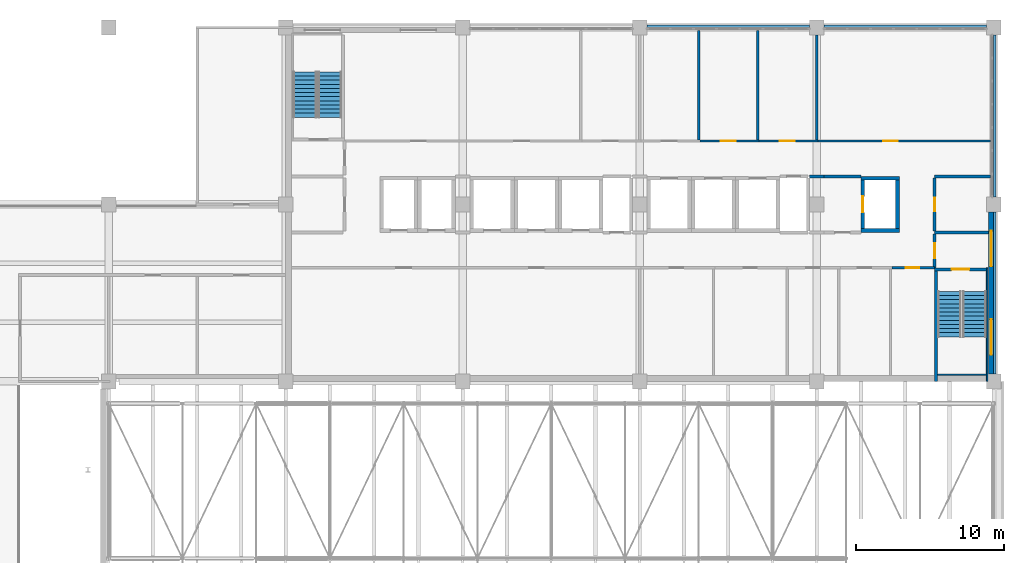
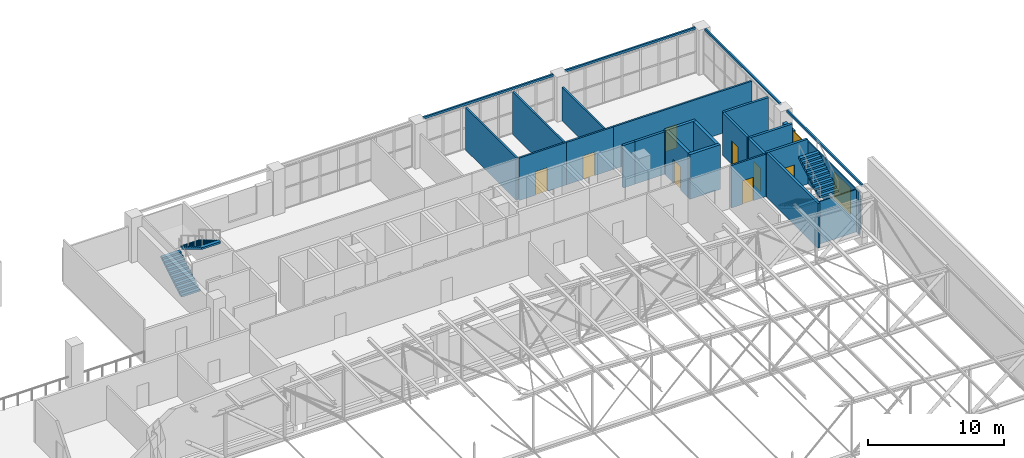
# One storey, part 150 of 156: 26 walls, 8 doors, 4 stair flights, 2 windows, 10 openings, 2 elements without a shape of their own.
"""IFC4 building model written with IfcOpenShell, lengths in metres."""

from ifc_helpers import new_model, si_unit, direction, frame, frame_2d, origin, place, context, subcontext, project, spatial, polyline, rectangle, outline, extrude, material, layer, layer_set, type_object, element, fill, aggregate, save


model = new_model("IFC4")

# Units and contexts
model_context = context("Model", 3, precision=1e-05, world=origin(), true_north=direction((0.0, 1.0)))
body_context = subcontext(model_context, "Body", "Model", "MODEL_VIEW")
ifc_project = project(units=[si_unit("LENGTHUNIT", "METRE"), si_unit("AREAUNIT", "SQUARE_METRE"), si_unit("VOLUMEUNIT", "CUBIC_METRE"), si_unit("PLANEANGLEUNIT", "RADIAN"), si_unit("MASSUNIT", "GRAM", prefix="KILO")], contexts=[model_context])

# Site, building, storey
site_placement = place(None, origin())
site = spatial("IfcSite", under=ifc_project, at=site_placement, CompositionType="ELEMENT")
building_placement = place(site_placement, origin())
building = spatial("IfcBuilding", under=site, at=building_placement, Name="Lilac Gate Convention Centre", CompositionType="ELEMENT")
storey_placement = place(building_placement, frame((0.0, 0.0, 17.0)))
storey = spatial("IfcBuildingStorey", under=building, at=storey_placement, Name="L03", CompositionType="ELEMENT", Elevation=17.0)

# Walls
ifc_material_1 = material(Name="Concrete C60", Category="concrete")
ifc_layer_1 = layer(ifc_material_1, 0.10009765625)
ifc_layer_set_1 = layer_set([ifc_layer_1], Name="Concrete C60")
wall_type_1 = type_object("IfcWallType", Name="Core wall 100 C60", PredefinedType="SHEAR", material=ifc_layer_set_1)
wall_1_placement = place(storey_placement, frame((89.550048828125, 229.699951171875, 0.0), z_axis=(0.0, 0.0, 1.0), x_axis=(0.0, -1.0, 0.0)))
element("IfcWall", 1, at=wall_1_placement, inside=storey, type_object=wall_type_1, Name="CRW8 core wall TS-EX L03 1", PredefinedType="SHEAR", context=body_context, shape_type="SweptSolid", body=[
    extrude(rectangle(XDim=7.699951171875, YDim=0.10009765625, at=frame_2d((3.85009765625, 0.0))), origin(), (0.0, 0.0, 1.0), 3.800048828125),
])
wall_2_placement = place(storey_placement, frame((89.5, 222.449951171875, 0.0), z_axis=(0.0, 0.0, 1.0), x_axis=(-1.0, 0.0, 0.0)))
element("IfcWall", 2, at=wall_2_placement, inside=storey, type_object=wall_type_1, Name="CRW8 core wall TS-EX L03 2", PredefinedType="SHEAR", context=body_context, shape_type="SweptSolid", body=[
    extrude(rectangle(XDim=3.300048828125, YDim=0.10009765625, at=frame_2d((1.64990234375, 0.0))), origin(), (0.0, 0.0, 1.0), 3.800048828125),
])

# Wall, opening, door
ifc_layer_2 = layer(ifc_material_1, 0.199951171875)
ifc_layer_set_2 = layer_set([ifc_layer_2], Name="Concrete C60")
wall_type_2 = type_object("IfcWallType", Name="Core wall 200 C60", PredefinedType="SHEAR", material=ifc_layer_set_2)
wall_3_placement = place(storey_placement, frame((89.5, 229.60009765625, 0.0), z_axis=(0.0, 0.0, 1.0), x_axis=(-1.0, 0.0, 0.0)))
wall_3 = element("IfcWall", 3, at=wall_3_placement, inside=storey, type_object=wall_type_2, Name="CRW2 core wall TS-E L03 1", PredefinedType="SHEAR", context=body_context, shape_type="SweptSolid", body=[
    extrude(rectangle(XDim=3.5, YDim=0.199951171875, at=frame_2d((1.75, 0.0))), origin(), (0.0, 0.0, 1.0), 4.0),
])
opening_1_placement = place(wall_3_placement, frame((1.14990234375, 0.0, 0.0)))
opening_1 = element("IfcOpeningElement", 4, at=opening_1_placement, cuts=wall_3, Name="Opening T03-032", PredefinedType="OPENING", context=body_context, shape_type="SweptSolid", body=[
    extrude(rectangle(XDim=1.199951171875, YDim=2.10009765625, at=frame_2d((0.60009765625, 1.050048828125))), frame((0.0, 0.10986328125, 0.0), z_axis=(0.0, -1.0, 0.0), x_axis=(1.0, 0.0, 0.0)), (0.0, 0.0, 1.0), 0.219970703125),
])
ifc_material_2 = material(Name="Steel Q235B", Category="steel")
door_type_1 = type_object("IfcDoorType", Name="Stair door 1200", OperationType="SINGLE_SWING_LEFT", PredefinedType="DOOR", material=ifc_material_2)
door_1_placement = place(opening_1_placement, origin())
door_1 = element("IfcDoor", 5, at=door_1_placement, inside=storey, type_object=door_type_1, Name="Stair door SE L03", OperationType="SINGLE_SWING_RIGHT", OverallHeight=2.10009765625, OverallWidth=1.199951171875, PredefinedType="DOOR", context=body_context, shape_type="SweptSolid", body=[
    extrude(rectangle(XDim=1.199951171875, YDim=2.10009765625, at=frame_2d((0.60009765625, 1.050048828125))), frame((0.0, 0.02490234375, 0.0), z_axis=(0.0, -1.0, 0.0), x_axis=(1.0, 0.0, 0.0)), (0.0, 0.0, 1.0), 0.050048828125),
])
fill(opening_1, door_1)

# Walls
wall_4_placement = place(storey_placement, frame((86.10009765625, 222.0, 0.0), z_axis=(0.0, 0.0, 1.0), x_axis=(0.0, 1.0, 0.0)))
element("IfcWall", 6, at=wall_4_placement, inside=storey, type_object=wall_type_2, Name="CRW2 core wall TS-E L03 2", PredefinedType="SHEAR", context=body_context, shape_type="SweptSolid", body=[
    extrude(rectangle(XDim=7.5, YDim=0.199951171875, at=frame_2d((3.75, 0.0))), origin(), (0.0, 0.0, 1.0), 4.0),
])
ifc_layer_3 = layer(ifc_material_1, 0.25)
ifc_layer_set_3 = layer_set([ifc_layer_3], Name="Concrete C60")
wall_type_3 = type_object("IfcWallType", Name="Core wall 250 C60", PredefinedType="SHEAR", material=ifc_layer_set_3)
for number, where, z_axis, x_axis, name in (
    (7, (81.0, 232.22509765625, 0.0), (0.0, 0.0, 1.0), (1.0, 0.0, 0.0), "CRW3 core wall TC L03 33"),
    (8, (81.0, 235.77490234375, 0.0), (0.0, 0.0, 1.0), (1.0, 0.0, 0.0), "CRW3 core wall TC L03 34"),
):
    element("IfcWall", number, at=place(storey_placement, frame(where, z_axis=z_axis, x_axis=x_axis)), inside=storey, type_object=wall_type_3, Name=name, PredefinedType="SHEAR", context=body_context, shape_type="SweptSolid", body=[
        extrude(rectangle(XDim=2.60009765625, YDim=0.25, at=frame_2d((1.300048828125, 0.0))), origin(), (0.0, 0.0, 1.0), 4.0),
    ])

# Wall, opening, door
wall_5_placement = place(storey_placement, frame((81.125, 232.35009765625, 0.0), z_axis=(0.0, 0.0, 1.0), x_axis=(0.0, 1.0, 0.0)))
wall_5 = element("IfcWall", 9, at=wall_5_placement, inside=storey, type_object=wall_type_3, Name="CRW3 core wall TC L03 35", PredefinedType="SHEAR", context=body_context, shape_type="SweptSolid", body=[
    extrude(rectangle(XDim=3.2998046875, YDim=0.25, at=frame_2d((1.64990234375, 0.0))), origin(), (0.0, 0.0, 1.0), 4.0),
])
opening_2_placement = place(wall_5_placement, frame((1.10009765625, 0.0, 0.0)))
opening_2 = element("IfcOpeningElement", 10, at=opening_2_placement, cuts=wall_5, Name="Opening T03-030", PredefinedType="OPENING", context=body_context, shape_type="SweptSolid", body=[
    extrude(rectangle(XDim=1.10009765625, YDim=2.10009765625, at=frame_2d((0.550048828125, 1.050048828125))), frame((0.0, 0.135009765625, 0.0), z_axis=(0.0, -1.0, 0.0), x_axis=(1.0, 0.0, 0.0)), (0.0, 0.0, 1.0), 0.27001953125),
])
ifc_material_3 = material(Name="Stainless steel 304", Category="steel")
door_type_2 = type_object("IfcDoorType", Name="Lift landing door 1100", OperationType="SLIDING_TO_LEFT", PredefinedType="DOOR", material=ifc_material_3)
door_2_placement = place(opening_2_placement, origin())
door_2 = element("IfcDoor", 11, at=door_2_placement, inside=storey, type_object=door_type_2, Name="Lift landing door TF1 L03", OperationType="SLIDING_TO_LEFT", OverallHeight=2.10009765625, OverallWidth=1.10009765625, PredefinedType="DOOR", context=body_context, shape_type="SweptSolid", body=[
    extrude(rectangle(XDim=1.10009765625, YDim=2.10009765625, at=frame_2d((0.550048828125, 1.050048828125))), frame((0.0, 0.02490234375, 0.0), z_axis=(0.0, -1.0, 0.0), x_axis=(1.0, 0.0, 0.0)), (0.0, 0.0, 1.0), 0.050048828125),
])
fill(opening_2, door_2)

# Wall
wall_6_placement = place(storey_placement, frame((83.47509765625, 232.35009765625, 0.0), z_axis=(0.0, 0.0, 1.0), x_axis=(0.0, 1.0, 0.0)))
element("IfcWall", 12, at=wall_6_placement, inside=storey, type_object=wall_type_3, Name="CRW3 core wall TC L03 36", PredefinedType="SHEAR", context=body_context, shape_type="SweptSolid", body=[
    extrude(rectangle(XDim=3.2998046875, YDim=0.25, at=frame_2d((1.64990234375, 0.0))), origin(), (0.0, 0.0, 1.0), 4.0),
])

# Wall, opening, door
ifc_material_4 = material(Name="Gypsum board on steel stud", Category="steel")
ifc_layer_4 = layer(ifc_material_4, 0.14990234375)
ifc_layer_set_4 = layer_set([ifc_layer_4], Name="Gypsum board on steel stud")
wall_type_4 = type_object("IfcWallType", Name="Corridor wall 150", PredefinedType="PARTITIONING", material=ifc_layer_set_4)
wall_7_placement = place(storey_placement, frame((86.0, 229.699951171875, 0.0), z_axis=(0.0, 0.0, 1.0), x_axis=(-1.0, 0.0, 0.0)))
wall_7 = element("IfcWall", 13, at=wall_7_placement, inside=storey, type_object=wall_type_4, Name="Corridor wall 150 front WC-A", PredefinedType="PARTITIONING", context=body_context, shape_type="SweptSolid", body=[
    extrude(rectangle(XDim=2.89990234375, YDim=0.14990234375, at=frame_2d((1.449951171875, 0.0))), origin(), (0.0, 0.0, 1.0), 3.800048828125),
])
opening_3_placement = place(wall_7_placement, frame((1.050048828125, 0.0, 0.0)))
opening_3 = element("IfcOpeningElement", 14, at=opening_3_placement, cuts=wall_7, Name="Opening T03-014", PredefinedType="OPENING", context=body_context, shape_type="SweptSolid", body=[
    extrude(rectangle(XDim=0.89990234375, YDim=2.10009765625, at=frame_2d((0.449951171875, 1.050048828125))), frame((0.0, 0.0849609375, 0.0), z_axis=(0.0, -1.0, 0.0), x_axis=(1.0, 0.0, 0.0)), (0.0, 0.0, 1.0), 0.169921875),
])
ifc_material_5 = material(Name="Timber", Category="wood")
door_type_3 = type_object("IfcDoorType", Name="WC door 900", OperationType="SINGLE_SWING_LEFT", PredefinedType="DOOR", material=ifc_material_5)
door_3_placement = place(opening_3_placement, origin())
door_3 = element("IfcDoor", 15, at=door_3_placement, inside=storey, type_object=door_type_3, Name="Accessible WC door", OperationType="SINGLE_SWING_RIGHT", OverallHeight=2.10009765625, OverallWidth=0.89990234375, PredefinedType="DOOR", context=body_context, shape_type="SweptSolid", body=[
    extrude(rectangle(XDim=0.89990234375, YDim=2.10009765625, at=frame_2d((0.449951171875, 1.050048828125))), frame((0.0, 0.02490234375, 0.0), z_axis=(0.0, -1.0, 0.0), x_axis=(1.0, 0.0, 0.0)), (0.0, 0.0, 1.0), 0.050048828125),
])
fill(opening_3, door_3)

wall_8_placement = place(storey_placement, frame((70.10009765625, 238.300048828125, 0.0), z_axis=(0.0, 0.0, 1.0), x_axis=(1.0, 0.0, 0.0)))
wall_8 = element("IfcWall", 16, at=wall_8_placement, inside=storey, type_object=wall_type_4, Name="Corridor wall 150 front T03", PredefinedType="PARTITIONING", context=body_context, shape_type="SweptSolid", body=[
    extrude(rectangle(XDim=4.0, YDim=0.14990234375, at=frame_2d((2.0, 0.0))), origin(), (0.0, 0.0, 1.0), 3.800048828125),
])
opening_4_placement = place(wall_8_placement, frame((1.39990234375, 0.0, 0.0)))
opening_4 = element("IfcOpeningElement", 17, at=opening_4_placement, cuts=wall_8, Name="Opening T03-019", PredefinedType="OPENING", context=body_context, shape_type="SweptSolid", body=[
    extrude(rectangle(XDim=1.0, YDim=2.10009765625, at=frame_2d((0.5, 1.050048828125))), frame((0.0, 0.0849609375, 0.0), z_axis=(0.0, -1.0, 0.0), x_axis=(1.0, 0.0, 0.0)), (0.0, 0.0, 1.0), 0.169921875),
])
door_type_4 = type_object("IfcDoorType", Name="Room door 1000", OperationType="SINGLE_SWING_LEFT", PredefinedType="DOOR", material=ifc_material_5)
door_4_placement = place(opening_4_placement, origin())
door_4 = element("IfcDoor", 18, at=door_4_placement, inside=storey, type_object=door_type_4, Name="Treatment Room door", OperationType="SINGLE_SWING_LEFT", OverallHeight=2.10009765625, OverallWidth=1.0, PredefinedType="DOOR", context=body_context, shape_type="SweptSolid", body=[
    extrude(rectangle(XDim=1.0, YDim=2.10009765625, at=frame_2d((0.5, 1.050048828125))), frame((0.0, 0.02490234375, 0.0), z_axis=(0.0, -1.0, 0.0), x_axis=(1.0, 0.0, 0.0)), (0.0, 0.0, 1.0), 0.050048828125),
])
fill(opening_4, door_4)

wall_9_placement = place(storey_placement, frame((74.10009765625, 238.300048828125, 0.0), z_axis=(0.0, 0.0, 1.0), x_axis=(1.0, 0.0, 0.0)))
wall_9 = element("IfcWall", 19, at=wall_9_placement, inside=storey, type_object=wall_type_4, Name="Corridor wall 150 front T04", PredefinedType="PARTITIONING", context=body_context, shape_type="SweptSolid", body=[
    extrude(rectangle(XDim=4.0, YDim=0.14990234375, at=frame_2d((2.0, 0.0))), origin(), (0.0, 0.0, 1.0), 3.800048828125),
])
opening_5_placement = place(wall_9_placement, frame((1.39990234375, 0.0, 0.0)))
opening_5 = element("IfcOpeningElement", 20, at=opening_5_placement, cuts=wall_9, Name="Opening T03-020", PredefinedType="OPENING", context=body_context, shape_type="SweptSolid", body=[
    extrude(rectangle(XDim=1.0, YDim=2.10009765625, at=frame_2d((0.5, 1.050048828125))), frame((0.0, 0.0849609375, 0.0), z_axis=(0.0, -1.0, 0.0), x_axis=(1.0, 0.0, 0.0)), (0.0, 0.0, 1.0), 0.169921875),
])
door_5_placement = place(opening_5_placement, origin())
door_5 = element("IfcDoor", 21, at=door_5_placement, inside=storey, type_object=door_type_4, Name="Treatment Room door", OperationType="SINGLE_SWING_LEFT", OverallHeight=2.10009765625, OverallWidth=1.0, PredefinedType="DOOR", context=body_context, shape_type="SweptSolid", body=[
    extrude(rectangle(XDim=1.0, YDim=2.10009765625, at=frame_2d((0.5, 1.050048828125))), frame((0.0, 0.02490234375, 0.0), z_axis=(0.0, -1.0, 0.0), x_axis=(1.0, 0.0, 0.0)), (0.0, 0.0, 1.0), 0.050048828125),
])
fill(opening_5, door_5)

wall_10_placement = place(storey_placement, frame((78.10009765625, 238.300048828125, 0.0), z_axis=(0.0, 0.0, 1.0), x_axis=(1.0, 0.0, 0.0)))
wall_10 = element("IfcWall", 22, at=wall_10_placement, inside=storey, type_object=wall_type_4, Name="Corridor wall 150 front SAU", PredefinedType="PARTITIONING", context=body_context, shape_type="SweptSolid", body=[
    extrude(rectangle(XDim=11.69970703125, YDim=0.14990234375, at=frame_2d((5.849853515625, 0.0))), origin(), (0.0, 0.0, 1.0), 3.800048828125),
])
opening_6_placement = place(wall_10_placement, frame((4.39990234375, 0.0, 0.0)))
opening_6 = element("IfcOpeningElement", 23, at=opening_6_placement, cuts=wall_10, Name="Opening T03-021", PredefinedType="OPENING", context=body_context, shape_type="SweptSolid", body=[
    extrude(rectangle(XDim=1.0, YDim=2.10009765625, at=frame_2d((0.5, 1.050048828125))), frame((0.0, 0.0849609375, 0.0), z_axis=(0.0, -1.0, 0.0), x_axis=(1.0, 0.0, 0.0)), (0.0, 0.0, 1.0), 0.169921875),
])
door_6_placement = place(opening_6_placement, origin())
door_6 = element("IfcDoor", 24, at=door_6_placement, inside=storey, type_object=door_type_4, Name="Sauna and Steam Room door", OperationType="SINGLE_SWING_LEFT", OverallHeight=2.10009765625, OverallWidth=1.0, PredefinedType="DOOR", context=body_context, shape_type="SweptSolid", body=[
    extrude(rectangle(XDim=1.0, YDim=2.10009765625, at=frame_2d((0.5, 1.050048828125))), frame((0.0, 0.02490234375, 0.0), z_axis=(0.0, -1.0, 0.0), x_axis=(1.0, 0.0, 0.0)), (0.0, 0.0, 1.0), 0.050048828125),
])
fill(opening_6, door_6)

# Walls
ifc_layer_5 = layer(ifc_material_4, 0.199951171875)
ifc_layer_set_5 = layer_set([ifc_layer_5], Name="Gypsum board on steel stud")
wall_type_5 = type_object("IfcWallType", Name="Lobby wall 200", PredefinedType="PARTITIONING", material=ifc_layer_set_5)
wall_11_placement = place(storey_placement, frame((86.0, 232.10009765625, 0.0), z_axis=(0.0, 0.0, 1.0), x_axis=(1.0, 0.0, 0.0)))
element("IfcWall", 25, at=wall_11_placement, inside=storey, type_object=wall_type_5, Name="Lobby wall 200 STL-N", PredefinedType="PARTITIONING", context=body_context, shape_type="SweptSolid", body=[
    extrude(rectangle(XDim=3.64990234375, YDim=0.199951171875, at=frame_2d((1.824951171875, 0.0))), origin(), (0.0, 0.0, 1.0), 3.800048828125),
])
wall_12_placement = place(storey_placement, frame((78.5, 235.89990234375, 0.0), z_axis=(0.0, 0.0, 1.0), x_axis=(1.0, 0.0, 0.0)))
element("IfcWall", 26, at=wall_12_placement, inside=storey, type_object=wall_type_5, Name="Lobby wall 200 FFL-N", PredefinedType="PARTITIONING", context=body_context, shape_type="SweptSolid", body=[
    extrude(rectangle(XDim=2.5, YDim=0.199951171875, at=frame_2d((1.25, 0.0))), origin(), (0.0, 0.0, 1.0), 3.800048828125),
])

# Wall, opening, door
wall_13_placement = place(storey_placement, frame((86.0, 232.0, 0.0), z_axis=(0.0, 0.0, 1.0), x_axis=(0.0, -1.0, 0.0)))
wall_13 = element("IfcWall", 27, at=wall_13_placement, inside=storey, type_object=wall_type_5, Name="Lobby wall 200 STL-SE-W", PredefinedType="PARTITIONING", context=body_context, shape_type="SweptSolid", body=[
    extrude(rectangle(XDim=2.300048828125, YDim=0.199951171875, at=frame_2d((1.14990234375, 0.0))), origin(), (0.0, 0.0, 1.0), 3.800048828125),
])
opening_7_placement = place(wall_13_placement, frame((0.64990234375, 0.0, 0.0)))
opening_7 = element("IfcOpeningElement", 28, at=opening_7_placement, cuts=wall_13, Name="Opening T03-007", PredefinedType="OPENING", context=body_context, shape_type="SweptSolid", body=[
    extrude(rectangle(XDim=1.0, YDim=2.10009765625, at=frame_2d((0.5, 1.050048828125))), frame((0.0, 0.10986328125, 0.0), z_axis=(0.0, -1.0, 0.0), x_axis=(1.0, 0.0, 0.0)), (0.0, 0.0, 1.0), 0.219970703125),
])
door_type_5 = type_object("IfcDoorType", Name="Lobby door 1000", OperationType="SINGLE_SWING_LEFT", PredefinedType="DOOR", material=ifc_material_2)
door_7_placement = place(opening_7_placement, origin())
door_7 = element("IfcDoor", 29, at=door_7_placement, inside=storey, type_object=door_type_5, Name="Stair lobby door SE", OperationType="SINGLE_SWING_LEFT", OverallHeight=2.10009765625, OverallWidth=1.0, PredefinedType="DOOR", context=body_context, shape_type="SweptSolid", body=[
    extrude(rectangle(XDim=1.0, YDim=2.10009765625, at=frame_2d((0.5, 1.050048828125))), frame((0.0, 0.02490234375, 0.0), z_axis=(0.0, -1.0, 0.0), x_axis=(1.0, 0.0, 0.0)), (0.0, 0.0, 1.0), 0.050048828125),
])
fill(opening_7, door_7)

# Wall, openings, windows
ifc_material_6 = material(Name="Ochre mineral render")
ifc_layer_6 = layer(ifc_material_6, 0.02001953125)
ifc_material_7 = material(Name="Concrete C40 precast", Category="concrete")
ifc_layer_7 = layer(ifc_material_7, 0.06005859375)
ifc_material_8 = material(Name="Ventilated air cavity")
ifc_layer_8 = layer(ifc_material_8, 0.030029296875)
ifc_material_9 = material(Name="Mineral wool insulation")
ifc_layer_9 = layer(ifc_material_9, 0.169921875)
ifc_material_10 = material(Name="Steel stud Q345 and gypsum lining", Category="steel")
ifc_layer_10 = layer(ifc_material_10, 0.070068359375)
ifc_layer_set_6 = layer_set([ifc_layer_6, ifc_layer_7, ifc_layer_8, ifc_layer_9, ifc_layer_10], Name="Ochre mineral render, Concrete C40 precast, Ventilated air cavity, Mineral wool insulation, Steel stud Q345 and gypsum lining")
wall_type_6 = type_object("IfcWallType", Name="Podium precast wall 350", PredefinedType="STANDARD", material=ifc_layer_set_6)
wall_14_placement = place(storey_placement, frame((89.824951171875, 222.5, 0.0), z_axis=(0.0, 0.0, 1.0), x_axis=(0.0, 1.0, 0.0)))
wall_14 = element("IfcWall", 30, at=wall_14_placement, inside=storey, type_object=wall_type_6, Name="External wall E L03 1", PredefinedType="STANDARD", context=body_context, shape_type="SweptSolid", body=[
    extrude(rectangle(XDim=11.0, YDim=0.35009765625, at=frame_2d((5.5, 0.0))), origin(), (0.0, 0.0, 1.0), 3.0),
])
opening_8_placement = place(wall_14_placement, frame((1.300048828125, 0.0, 0.60009765625)))
opening_8 = element("IfcOpeningElement", 31, at=opening_8_placement, cuts=wall_14, Name="Opening W4", PredefinedType="OPENING", context=body_context, shape_type="SweptSolid", body=[
    extrude(rectangle(XDim=2.39990234375, YDim=2.39990234375, at=frame_2d((1.199951171875, 1.199951171875))), frame((0.0, 0.18505859375, 0.0), z_axis=(0.0, -1.0, 0.0), x_axis=(1.0, 0.0, 0.0)), (0.0, 0.0, 1.0), 0.3701171875),
])
opening_9_placement = place(wall_14_placement, frame((7.300048828125, 0.0, 0.60009765625)))
opening_9 = element("IfcOpeningElement", 32, at=opening_9_placement, cuts=wall_14, Name="Opening W4", PredefinedType="OPENING", context=body_context, shape_type="SweptSolid", body=[
    extrude(rectangle(XDim=2.39990234375, YDim=2.39990234375, at=frame_2d((1.199951171875, 1.199951171875))), frame((0.0, 0.18505859375, 0.0), z_axis=(0.0, -1.0, 0.0), x_axis=(1.0, 0.0, 0.0)), (0.0, 0.0, 1.0), 0.3701171875),
])
ifc_material_11 = material(Name="Aluminium framed double glazing", Category="aluminium")
window_type = type_object("IfcWindowType", Name="Restaurant window 2400 x 2400", PartitioningType="TRIPLE_PANEL_VERTICAL", PredefinedType="WINDOW", material=ifc_material_11)
window_1_placement = place(opening_8_placement, origin())
window_1 = element("IfcWindow", 33, at=window_1_placement, inside=storey, type_object=window_type, Name="Window restaurant E L03", OverallHeight=2.39990234375, OverallWidth=2.39990234375, PartitioningType="SINGLE_PANEL", PredefinedType="WINDOW", context=body_context, shape_type="SweptSolid", body=[
    extrude(rectangle(XDim=2.39990234375, YDim=2.39990234375, at=frame_2d((1.199951171875, 1.199951171875))), frame((0.0, 0.030029296875, 0.0), z_axis=(0.0, -1.0, 0.0), x_axis=(1.0, 0.0, 0.0)), (0.0, 0.0, 1.0), 0.06005859375),
])
fill(opening_8, window_1)
window_2_placement = place(opening_9_placement, origin())
window_2 = element("IfcWindow", 34, at=window_2_placement, inside=storey, type_object=window_type, Name="Window restaurant E L03", OverallHeight=2.39990234375, OverallWidth=2.39990234375, PartitioningType="SINGLE_PANEL", PredefinedType="WINDOW", context=body_context, shape_type="SweptSolid", body=[
    extrude(rectangle(XDim=2.39990234375, YDim=2.39990234375, at=frame_2d((1.199951171875, 1.199951171875))), frame((0.0, 0.030029296875, 0.0), z_axis=(0.0, -1.0, 0.0), x_axis=(1.0, 0.0, 0.0)), (0.0, 0.0, 1.0), 0.06005859375),
])
fill(opening_9, window_2)

# Walls
ifc_layer_11 = layer(ifc_material_7, 0.1298828125)
ifc_layer_12 = layer(ifc_material_6, 0.02001953125)
ifc_layer_set_7 = layer_set([ifc_layer_11, ifc_layer_12], Name="Concrete C40 precast, Ochre mineral render")
wall_type_7 = type_object("IfcWallType", Name="Precast band ochre 150", PredefinedType="STANDARD", material=ifc_layer_set_7)
for number, where, z_axis, x_axis, name in (
    (35, (90.074951171875, 222.5, 3.800048828125), (0.0, 0.0, 1.0), (0.0, 1.0, 0.0), "Precast band E L03 1"),
    (36, (90.074951171875, 234.5, 3.800048828125), (0.0, 0.0, 1.0), (0.0, 1.0, 0.0), "Precast band E L03 2"),
    (37, (89.5, 246.074951171875, 3.800048828125), (0.0, 0.0, 1.0), (-1.0, 0.0, 0.0), "Precast band N L03 1"),
    (38, (77.5, 246.074951171875, 3.800048828125), (0.0, 0.0, 1.0), (-1.0, 0.0, 0.0), "Precast band N L03 2"),
):
    element("IfcWall", number, at=place(storey_placement, frame(where, z_axis=z_axis, x_axis=x_axis)), inside=storey, type_object=wall_type_7, Name=name, PredefinedType="STANDARD", context=body_context, shape_type="SweptSolid", body=[
        extrude(rectangle(XDim=11.0, YDim=0.14990234375, at=frame_2d((5.5, 0.0))), origin(), (0.0, 0.0, 1.0), 0.199951171875),
    ])
ifc_layer_13 = layer(ifc_material_4, 0.199951171875)
ifc_layer_set_8 = layer_set([ifc_layer_13], Name="Gypsum board on steel stud")
wall_type_8 = type_object("IfcWallType", Name="Riser and store wall 200", PredefinedType="PARTITIONING", material=ifc_layer_set_8)
wall_15_placement = place(storey_placement, frame((77.5, 235.89990234375, 0.0), z_axis=(0.0, 0.0, 1.0), x_axis=(1.0, 0.0, 0.0)))
element("IfcWall", 39, at=wall_15_placement, inside=storey, type_object=wall_type_8, Name="Riser and store wall 200 NICHE3-N", PredefinedType="PARTITIONING", context=body_context, shape_type="SweptSolid", body=[
    extrude(rectangle(XDim=1.0, YDim=0.199951171875, at=frame_2d((0.5, 0.0))), origin(), (0.0, 0.0, 1.0), 3.800048828125),
])
wall_16_placement = place(storey_placement, frame((86.0, 235.89990234375, 0.0), z_axis=(0.0, 0.0, 1.0), x_axis=(1.0, 0.0, 0.0)))
element("IfcWall", 40, at=wall_16_placement, inside=storey, type_object=wall_type_8, Name="Riser and store wall 200 STE-N", PredefinedType="PARTITIONING", context=body_context, shape_type="SweptSolid", body=[
    extrude(rectangle(XDim=3.7998046875, YDim=0.199951171875, at=frame_2d((1.89990234375, 0.0))), origin(), (0.0, 0.0, 1.0), 3.800048828125),
])

# Wall, opening, door
wall_17_placement = place(storey_placement, frame((86.0, 235.800048828125, 0.0), z_axis=(0.0, 0.0, 1.0), x_axis=(0.0, -1.0, 0.0)))
wall_17 = element("IfcWall", 41, at=wall_17_placement, inside=storey, type_object=wall_type_8, Name="Riser and store wall 200 STE-W", PredefinedType="PARTITIONING", context=body_context, shape_type="SweptSolid", body=[
    extrude(rectangle(XDim=3.60009765625, YDim=0.199951171875, at=frame_2d((1.800048828125, 0.0))), origin(), (0.0, 0.0, 1.0), 3.800048828125),
])
opening_10_placement = place(wall_17_placement, frame((1.35009765625, 0.0, 0.0)))
opening_10 = element("IfcOpeningElement", 42, at=opening_10_placement, cuts=wall_17, Name="Opening T03-005", PredefinedType="OPENING", context=body_context, shape_type="SweptSolid", body=[
    extrude(rectangle(XDim=0.89990234375, YDim=2.10009765625, at=frame_2d((0.449951171875, 1.050048828125))), frame((0.0, 0.10986328125, 0.0), z_axis=(0.0, -1.0, 0.0), x_axis=(1.0, 0.0, 0.0)), (0.0, 0.0, 1.0), 0.219970703125),
])
door_type_6 = type_object("IfcDoorType", Name="Riser and store door 900", OperationType="SINGLE_SWING_LEFT", PredefinedType="DOOR", material=ifc_material_2)
door_8_placement = place(opening_10_placement, origin())
door_8 = element("IfcDoor", 43, at=door_8_placement, inside=storey, type_object=door_type_6, Name="Linen store door", OperationType="SINGLE_SWING_LEFT", OverallHeight=2.10009765625, OverallWidth=0.89990234375, PredefinedType="DOOR", context=body_context, shape_type="SweptSolid", body=[
    extrude(rectangle(XDim=0.89990234375, YDim=2.10009765625, at=frame_2d((0.449951171875, 1.050048828125))), frame((0.0, 0.02490234375, 0.0), z_axis=(0.0, -1.0, 0.0), x_axis=(1.0, 0.0, 0.0)), (0.0, 0.0, 1.0), 0.050048828125),
])
fill(opening_10, door_8)

# Walls
ifc_layer_14 = layer(ifc_material_4, 0.14990234375)
ifc_layer_set_9 = layer_set([ifc_layer_14], Name="Gypsum board on steel stud")
wall_type_9 = type_object("IfcWallType", Name="Room partition 150", PredefinedType="PARTITIONING", material=ifc_layer_set_9)
for number, where, z_axis, x_axis, name in (
    (44, (70.0, 245.7998046875, 0.0), (0.0, 0.0, 1.0), (0.0, -1.0, 0.0), "Room partition 150 part T03"),
    (45, (74.0, 245.7998046875, 0.0), (0.0, 0.0, 1.0), (0.0, -1.0, 0.0), "Room partition 150 part T04"),
):
    element("IfcWall", number, at=place(storey_placement, frame(where, z_axis=z_axis, x_axis=x_axis)), inside=storey, type_object=wall_type_9, Name=name, PredefinedType="PARTITIONING", context=body_context, shape_type="SweptSolid", body=[
        extrude(rectangle(XDim=7.4248046875, YDim=0.14990234375, at=frame_2d((3.71240234375, 0.0))), origin(), (0.0, 0.0, 1.0), 3.800048828125),
    ])
wall_18_placement = place(storey_placement, frame((78.0, 245.5, 0.0), z_axis=(0.0, 0.0, 1.0), x_axis=(0.0, -1.0, 0.0)))
element("IfcWall", 46, at=wall_18_placement, inside=storey, type_object=wall_type_9, Name="Room partition 150 part SAU", PredefinedType="PARTITIONING", context=body_context, shape_type="SweptSolid", body=[
    extrude(rectangle(XDim=7.125, YDim=0.14990234375, at=frame_2d((3.5625, 0.0))), origin(), (0.0, 0.0, 1.0), 3.0),
])

# Stair, stair flights
ifc_material_12 = material(Name="Concrete C40", Category="concrete")
stair_type = type_object("IfcStairType", Name="Exit stair", PredefinedType="DOUBLE_RETURN_STAIR", material=ifc_material_12)
stair_1_placement = place(storey_placement, origin())
stair_1 = element("IfcStair", 47, at=stair_1_placement, inside=storey, type_object=stair_type, Name="Exit stair NW L03", PredefinedType="DOUBLE_RETURN_STAIR")
stair_flight_type = type_object("IfcStairFlightType", Name="Exit stair flight", PredefinedType="STRAIGHT", material=ifc_material_12)
stair_flight_1_placement = place(storey_placement, frame((43.300048828125, 239.89990234375, 0.0), z_axis=(0.0, 0.0, 1.0), x_axis=(0.0, 1.0, 0.0)))
stair_flight_1 = element("IfcStairFlight", 48, at=stair_flight_1_placement, type_object=stair_flight_type, Name="ST-NW flight 1", NumberOfRisers=12, NumberOfTreads=11, PredefinedType="STRAIGHT", RiserHeight=0.166666667, TreadLength=0.28, context=body_context, shape_type="SweptSolid", body=[
    extrude(outline(polyline([(0.0, 0.0), (0.0, 0.166748046875), (0.280029296875, 0.166748046875), (0.280029296875, 0.333251953125), (0.56005859375, 0.333251953125), (0.56005859375, 0.5), (0.840087890625, 0.5), (0.840087890625, 0.666748046875), (1.1201171875, 0.666748046875), (1.1201171875, 0.833251953125), (1.39990234375, 0.833251953125), (1.39990234375, 1.0), (1.679931640625, 1.0), (1.679931640625, 1.166748046875), (1.9599609375, 1.166748046875), (1.9599609375, 1.333251953125), (2.239990234375, 1.333251953125), (2.239990234375, 1.5), (2.52001953125, 1.5), (2.52001953125, 1.666748046875), (2.800048828125, 1.666748046875), (2.800048828125, 1.833251953125), (3.080078125, 1.833251953125), (3.080078125, 2.0), (3.080078125, 1.658935546875), (0.29296875, 0.0), (0.0, 0.0)])), frame((0.0, 0.800048828125, 0.0), z_axis=(0.0, -1.0, 0.0), x_axis=(1.0, 0.0, 0.0)), (0.0, 0.0, 1.0), 1.60009765625),
])
stair_flight_2_placement = place(storey_placement, frame((45.0, 242.97998046875, 2.0), z_axis=(0.0, 0.0, 1.0), x_axis=(0.0, -1.0, 0.0)))
stair_flight_2 = element("IfcStairFlight", 49, at=stair_flight_2_placement, type_object=stair_flight_type, Name="ST-NW flight 2", NumberOfRisers=12, NumberOfTreads=11, PredefinedType="STRAIGHT", RiserHeight=0.166666667, TreadLength=0.28, context=body_context, shape_type="SweptSolid", body=[
    extrude(outline(polyline([(0.0, 0.0), (0.0, 0.166748046875), (0.280029296875, 0.166748046875), (0.280029296875, 0.333251953125), (0.56005859375, 0.333251953125), (0.56005859375, 0.5), (0.840087890625, 0.5), (0.840087890625, 0.666748046875), (1.1201171875, 0.666748046875), (1.1201171875, 0.833251953125), (1.39990234375, 0.833251953125), (1.39990234375, 1.0), (1.679931640625, 1.0), (1.679931640625, 1.166748046875), (1.9599609375, 1.166748046875), (1.9599609375, 1.333251953125), (2.239990234375, 1.333251953125), (2.239990234375, 1.5), (2.52001953125, 1.5), (2.52001953125, 1.666748046875), (2.800048828125, 1.666748046875), (2.800048828125, 1.833251953125), (3.080078125, 1.833251953125), (3.080078125, 2.0), (3.080078125, 1.658935546875), (0.29296875, 0.0), (0.0, 0.0)])), frame((0.0, 0.800048828125, 0.0), z_axis=(0.0, -1.0, 0.0), x_axis=(1.0, 0.0, 0.0)), (0.0, 0.0, 1.0), 1.60009765625),
])
aggregate(stair_1, [stair_flight_1, stair_flight_2])

stair_2_placement = place(storey_placement, origin())
stair_2 = element("IfcStair", 50, at=stair_2_placement, inside=storey, type_object=stair_type, Name="Exit stair SE L03", PredefinedType="DOUBLE_RETURN_STAIR")
stair_flight_3_placement = place(storey_placement, frame((87.0, 228.10009765625, 0.0), z_axis=(0.0, 0.0, 1.0), x_axis=(0.0, -1.0, 0.0)))
stair_flight_3 = element("IfcStairFlight", 51, at=stair_flight_3_placement, type_object=stair_flight_type, Name="ST-SE flight 1", NumberOfRisers=12, NumberOfTreads=11, PredefinedType="STRAIGHT", RiserHeight=0.166666667, TreadLength=0.28, context=body_context, shape_type="SweptSolid", body=[
    extrude(outline(polyline([(0.0, 0.0), (0.0, 0.166748046875), (0.280029296875, 0.166748046875), (0.280029296875, 0.333251953125), (0.56005859375, 0.333251953125), (0.56005859375, 0.5), (0.840087890625, 0.5), (0.840087890625, 0.666748046875), (1.1201171875, 0.666748046875), (1.1201171875, 0.833251953125), (1.39990234375, 0.833251953125), (1.39990234375, 1.0), (1.679931640625, 1.0), (1.679931640625, 1.166748046875), (1.9599609375, 1.166748046875), (1.9599609375, 1.333251953125), (2.239990234375, 1.333251953125), (2.239990234375, 1.5), (2.52001953125, 1.5), (2.52001953125, 1.666748046875), (2.800048828125, 1.666748046875), (2.800048828125, 1.833251953125), (3.080078125, 1.833251953125), (3.080078125, 2.0), (3.080078125, 1.658935546875), (0.29296875, 0.0), (0.0, 0.0)])), frame((0.0, 0.800048828125, 0.0), z_axis=(0.0, -1.0, 0.0), x_axis=(1.0, 0.0, 0.0)), (0.0, 0.0, 1.0), 1.60009765625),
])
stair_flight_4_placement = place(storey_placement, frame((88.699951171875, 225.02001953125, 2.0), z_axis=(0.0, 0.0, 1.0), x_axis=(0.0, 1.0, 0.0)))
stair_flight_4 = element("IfcStairFlight", 52, at=stair_flight_4_placement, type_object=stair_flight_type, Name="ST-SE flight 2", NumberOfRisers=12, NumberOfTreads=11, PredefinedType="STRAIGHT", RiserHeight=0.166666667, TreadLength=0.28, context=body_context, shape_type="SweptSolid", body=[
    extrude(outline(polyline([(0.0, 0.0), (0.0, 0.166748046875), (0.280029296875, 0.166748046875), (0.280029296875, 0.333251953125), (0.56005859375, 0.333251953125), (0.56005859375, 0.5), (0.840087890625, 0.5), (0.840087890625, 0.666748046875), (1.1201171875, 0.666748046875), (1.1201171875, 0.833251953125), (1.39990234375, 0.833251953125), (1.39990234375, 1.0), (1.679931640625, 1.0), (1.679931640625, 1.166748046875), (1.9599609375, 1.166748046875), (1.9599609375, 1.333251953125), (2.239990234375, 1.333251953125), (2.239990234375, 1.5), (2.52001953125, 1.5), (2.52001953125, 1.666748046875), (2.800048828125, 1.666748046875), (2.800048828125, 1.833251953125), (3.080078125, 1.833251953125), (3.080078125, 2.0), (3.080078125, 1.658935546875), (0.29296875, 0.0), (0.0, 0.0)])), frame((0.0, 0.800048828125, 0.0), z_axis=(0.0, -1.0, 0.0), x_axis=(1.0, 0.0, 0.0)), (0.0, 0.0, 1.0), 1.60009765625),
])
aggregate(stair_2, [stair_flight_3, stair_flight_4])

save(model, "model.ifc")
